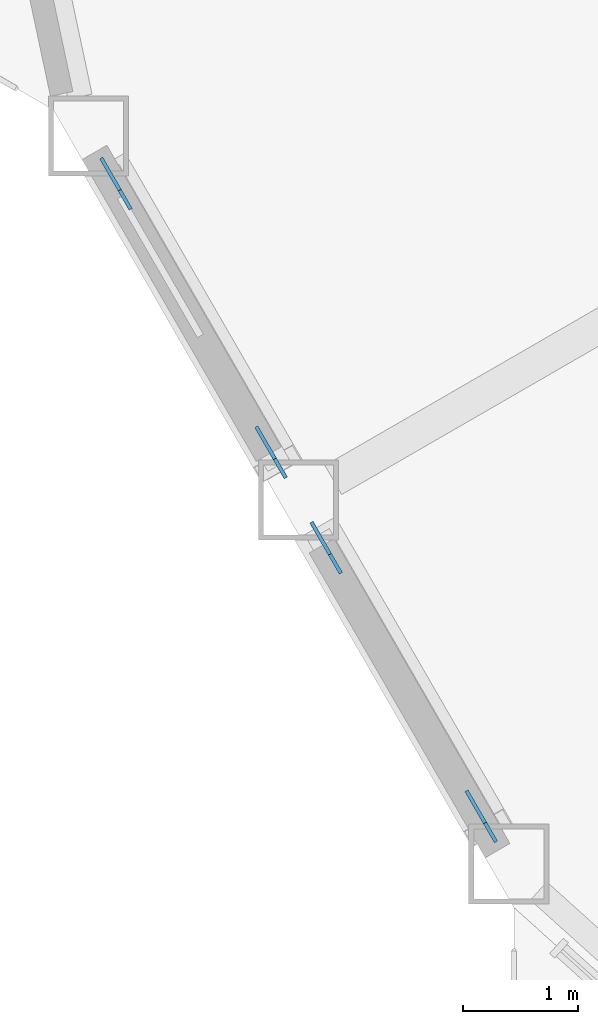
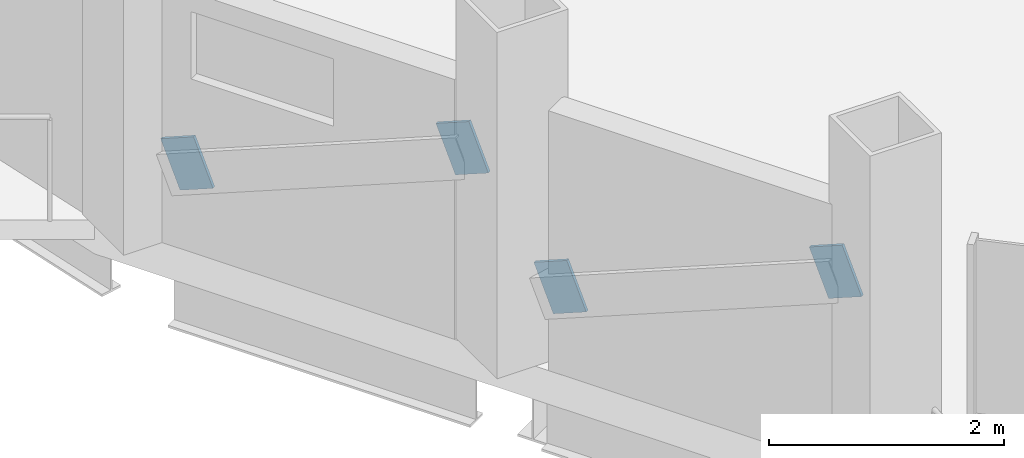
# One storey, part 16 of 23: 4 discrete accessories.
"""IFC4 building model written with IfcOpenShell, lengths in metres."""

from ifc_helpers import new_model, si_unit, direction, frame, origin, origin_2d, place, context, subcontext, project, spatial, rectangle, extrude, material, material_profile, profile_set, type_object, element, save


model = new_model("IFC4")

# Units and contexts
model_context = context("Model", 3, precision=1e-05, world=origin(), true_north=direction((0.0, 1.0)))
body_context = subcontext(model_context, "Body", "Model", "MODEL_VIEW")
ifc_project = project(units=[si_unit("LENGTHUNIT", "METRE"), si_unit("AREAUNIT", "SQUARE_METRE"), si_unit("VOLUMEUNIT", "CUBIC_METRE"), si_unit("PLANEANGLEUNIT", "RADIAN"), si_unit("MASSUNIT", "GRAM", prefix="KILO")], contexts=[model_context])

# Site, building, storey
site_placement = place(None, origin())
site = spatial("IfcSite", under=ifc_project, at=site_placement, CompositionType="ELEMENT")
building_placement = place(site_placement, origin())
building = spatial("IfcBuilding", under=site, at=building_placement, Name="Cormorant Prow Tower", CompositionType="ELEMENT")
storey_placement = place(building_placement, frame((0.0, 0.0, 259.800048828125)))
storey = spatial("IfcBuildingStorey", under=building, at=storey_placement, Name="L58", CompositionType="ELEMENT", Elevation=259.800048828125)

# Discrete accessories
ifc_material = material(Name="Structural steel ASTM A500 Gr C", Category="steel")
ifc_material_profile = material_profile(ifc_material, rectangle(XDim=0.031982421875, YDim=0.506103515625, at=origin_2d()), Name="Gusset plate 32x506")
ifc_profile_set = profile_set([ifc_material_profile], Name="Structural steel ASTM A500 Gr C")
discrete_accessory_type = type_object("IfcDiscreteAccessoryType", Name="Gusset plate 32x506", PredefinedType="BRACKET", material=ifc_profile_set)
discrete_accessory_1_placement = place(storey_placement, frame((-29.2900390625, -13.4150390625, 0.863037109375), z_axis=(-0.462538490196, 0.801593854051, -0.378821116405), x_axis=(-0.866147934042, -0.499787711288, 0.0)))
element("IfcDiscreteAccessory", 1, at=discrete_accessory_1_placement, inside=storey, type_object=discrete_accessory_type, Name="Gusset plate GP2 L58.WSW00.g0", PredefinedType="BRACKET", context=body_context, shape_type="SweptSolid", body=[
    extrude(rectangle(XDim=0.031982421875, YDim=0.506103515625, at=origin_2d()), origin(), (0.0, 0.0, 1.0), 0.349853515625),
])
discrete_accessory_2_placement = place(storey_placement, frame((-28.09814453125, -15.4794921875, 1.837890625), z_axis=(0.462949952395, -0.801795851286, 0.37788987078), x_axis=(0.866010015463, 0.500026652407, 0.0)))
element("IfcDiscreteAccessory", 2, at=discrete_accessory_2_placement, inside=storey, type_object=discrete_accessory_type, Name="Gusset plate GP2 L58.WSW00.g1", PredefinedType="BRACKET", context=body_context, shape_type="SweptSolid", body=[
    extrude(rectangle(XDim=0.031982421875, YDim=0.506103515625, at=origin_2d()), origin(), (0.0, 0.0, 1.0), 0.35009765625),
])
discrete_accessory_3_placement = place(storey_placement, frame((-27.454833984375, -16.59375, 0.863037109375), z_axis=(-0.462538490196, 0.801593854051, -0.378821116405), x_axis=(-0.866147934042, -0.499787711288, 0.0)))
element("IfcDiscreteAccessory", 3, at=discrete_accessory_3_placement, inside=storey, type_object=discrete_accessory_type, Name="Gusset plate GP2 L58.WSW01.g0", PredefinedType="BRACKET", context=body_context, shape_type="SweptSolid", body=[
    extrude(rectangle(XDim=0.031982421875, YDim=0.506103515625, at=origin_2d()), origin(), (0.0, 0.0, 1.0), 0.349853515625),
])
discrete_accessory_4_placement = place(storey_placement, frame((-26.262939453125, -18.658203125, 1.837890625), z_axis=(0.462949952395, -0.801795851286, 0.37788987078), x_axis=(0.866010015463, 0.500026652407, 0.0)))
element("IfcDiscreteAccessory", 4, at=discrete_accessory_4_placement, inside=storey, type_object=discrete_accessory_type, Name="Gusset plate GP2 L58.WSW01.g1", PredefinedType="BRACKET", context=body_context, shape_type="SweptSolid", body=[
    extrude(rectangle(XDim=0.031982421875, YDim=0.506103515625, at=origin_2d()), origin(), (0.0, 0.0, 1.0), 0.35009765625),
])

save(model, "model.ifc")
